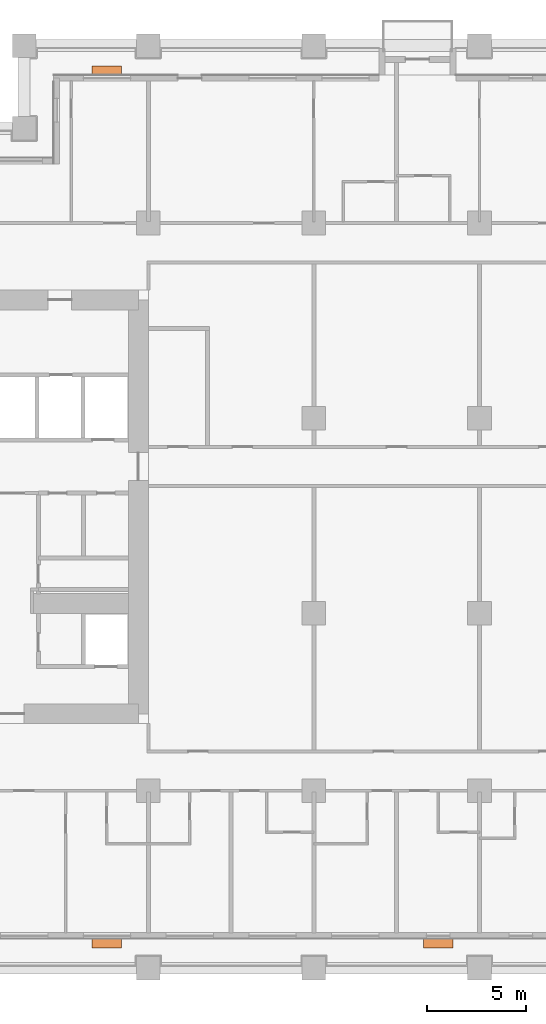
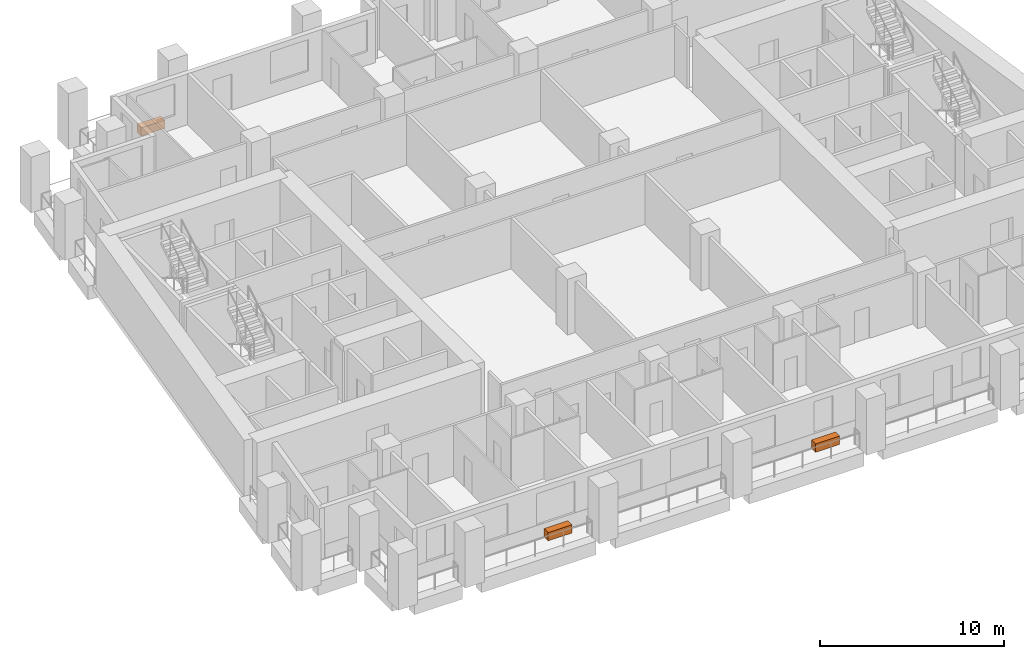
# One storey, part 13 of 13: 3 proxies.
"""IFC4 building model written with IfcOpenShell, lengths in metres."""

from ifc_helpers import new_model, si_unit, direction, frame, origin, origin_2d, place, context, subcontext, project, spatial, rectangle, extrude, element, save


model = new_model("IFC4")

# Units and contexts
model_context = context("Model", 3, precision=1e-05, world=origin(), true_north=direction((0.0, 1.0)))
body_context = subcontext(model_context, "Body", "Model", "MODEL_VIEW")
ifc_project = project(units=[si_unit("LENGTHUNIT", "METRE"), si_unit("AREAUNIT", "SQUARE_METRE"), si_unit("VOLUMEUNIT", "CUBIC_METRE"), si_unit("PLANEANGLEUNIT", "RADIAN"), si_unit("MASSUNIT", "GRAM", prefix="KILO")], contexts=[model_context])

# Site, building, storey
site_placement = place(None, origin())
site = spatial("IfcSite", under=ifc_project, at=site_placement, CompositionType="ELEMENT")
building_placement = place(site_placement, origin())
building = spatial("IfcBuilding", under=site, at=building_placement, Name="Candeia Pilgrim Tower and Theatre", CompositionType="ELEMENT")
storey_placement = place(building_placement, frame((0.0, 0.0, 94.699951171875)))
storey = spatial("IfcBuildingStorey", under=building, at=storey_placement, Name="L21", CompositionType="ELEMENT", Elevation=94.699951171875)

# Proxies
for number, where, z_axis, x_axis, name in (
    (1, (98.699951171875, 99.2548828125, 0.0), (0.0, 0.0, 1.0), (1.0, 0.0, 0.0), "Planter"),
    (2, (115.5, 99.2548828125, 0.0), (0.0, 0.0, 1.0), (1.0, 0.0, 0.0), "Planter"),
    (3, (98.699951171875, 143.544921875, 0.0), (0.0, 0.0, 1.0), (-1.0, 0.0, 0.0), "Planter"),
):
    element("IfcBuildingElementProxy", number, at=place(storey_placement, frame(where, z_axis=z_axis, x_axis=x_axis)), inside=storey, Name=name, ObjectType="PLANTER", PredefinedType="USERDEFINED", context=body_context, shape_type="SweptSolid", body=[
        extrude(rectangle(XDim=1.5, YDim=0.449951171875, at=origin_2d()), origin(), (0.0, 0.0, 1.0), 0.550048828125),
    ])

save(model, "model.ifc")
